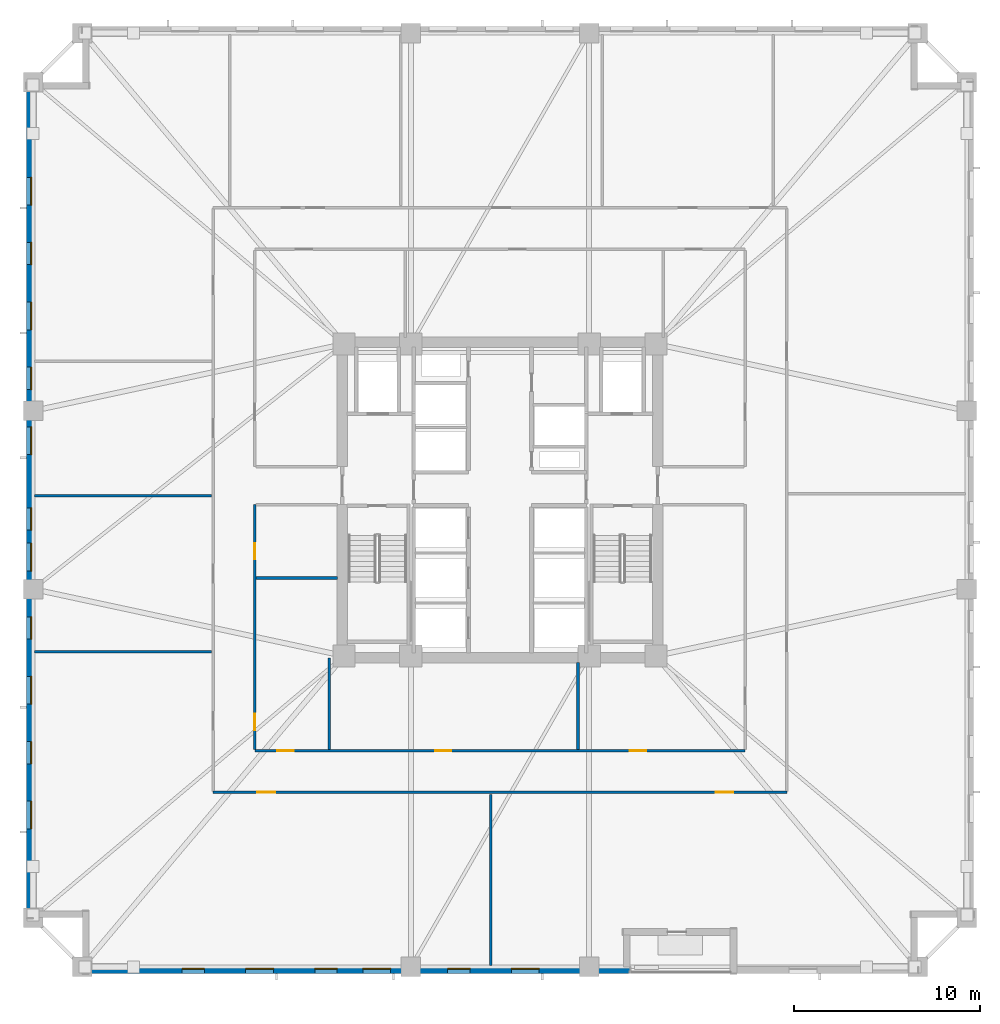
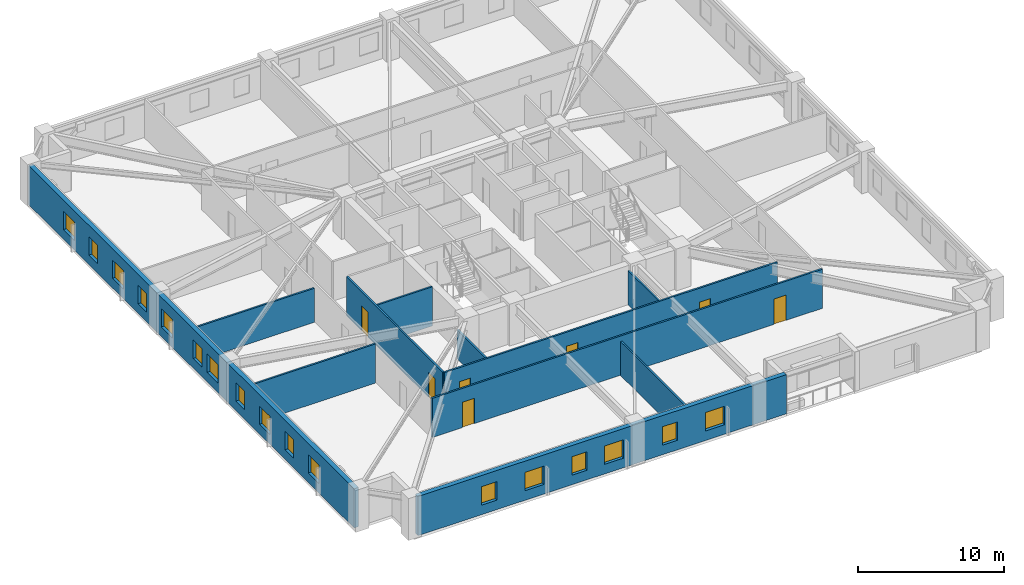
# One storey, part 2 of 11: 17 windows, 11 walls, 7 doors, 24 openings.
"""IFC4 building model written with IfcOpenShell, lengths in metres."""

from ifc_helpers import new_model, si_unit, direction, frame, frame_2d, origin, place, context, subcontext, project, spatial, rectangle, extrude, material, layer, layer_set, type_object, element, fill, save


model = new_model("IFC4")

# Units and contexts
model_context = context("Model", 3, precision=1e-05, world=origin(), true_north=direction((0.0, 1.0)))
body_context = subcontext(model_context, "Body", "Model", "MODEL_VIEW")
ifc_project = project(units=[si_unit("LENGTHUNIT", "METRE"), si_unit("AREAUNIT", "SQUARE_METRE"), si_unit("VOLUMEUNIT", "CUBIC_METRE"), si_unit("PLANEANGLEUNIT", "RADIAN"), si_unit("MASSUNIT", "GRAM", prefix="KILO")], contexts=[model_context])

# Site, building, storey
site_placement = place(None, origin())
site = spatial("IfcSite", under=ifc_project, at=site_placement, CompositionType="ELEMENT")
building_placement = place(site_placement, origin())
building = spatial("IfcBuilding", under=site, at=building_placement, Name="Cairnveth Concourse Tower", CompositionType="ELEMENT")
storey_placement = place(building_placement, frame((0.0, 0.0, 51.5)))
storey = spatial("IfcBuildingStorey", under=building, at=storey_placement, Name="L13", CompositionType="ELEMENT", Elevation=51.5)

# Wall, openings, doors
ifc_material_1 = material(Name="Gypsum Plasterboard Partition", Category="gypsum")
ifc_layer_1 = layer(ifc_material_1, 0.139892578125)
ifc_layer_set_1 = layer_set([ifc_layer_1], Name="Gypsum Plasterboard Partition")
wall_type_1 = type_object("IfcWallType", Name="GYPSUM STUD PARTITION 140", PredefinedType="PARTITIONING", material=ifc_layer_set_1)
wall_1_placement = place(storey_placement, frame((36.550048828125, 23.25, 0.0), z_axis=(0.0, 0.0, 1.0), x_axis=(1.0, 0.0, 0.0)))
wall_1 = element("IfcWall", 1, at=wall_1_placement, inside=storey, type_object=wall_type_1, Name="Interior Wall IW-L13-037", PredefinedType="PARTITIONING", context=body_context, shape_type="SweptSolid", body=[
    extrude(rectangle(XDim=30.89990234375, YDim=0.139892578125, at=frame_2d((15.449951171875, 0.0))), origin(), (0.0, 0.0, 1.0), 3.280029296875),
])
opening_1_placement = place(wall_1_placement, frame((2.38623046875, 0.0, 0.0)))
opening_1 = element("IfcOpeningElement", 2, at=opening_1_placement, cuts=wall_1, Name="Opening ID11", PredefinedType="OPENING", context=body_context, shape_type="SweptSolid", body=[
    extrude(rectangle(XDim=0.9599609375, YDim=2.1201171875, at=frame_2d((0.47998046875, 1.06005859375))), frame((0.0, 0.079833984375, 0.0), z_axis=(0.0, -1.0, 0.0), x_axis=(1.0, 0.0, 0.0)), (0.0, 0.0, 1.0), 0.159912109375),
])
opening_2_placement = place(wall_1_placement, frame((27.06640625, 0.0, 0.0)))
opening_2 = element("IfcOpeningElement", 3, at=opening_2_placement, cuts=wall_1, Name="Opening ID11", PredefinedType="OPENING", context=body_context, shape_type="SweptSolid", body=[
    extrude(rectangle(XDim=0.9599609375, YDim=2.1201171875, at=frame_2d((0.47998046875, 1.06005859375))), frame((0.0, 0.079833984375, 0.0), z_axis=(0.0, -1.0, 0.0), x_axis=(1.0, 0.0, 0.0)), (0.0, 0.0, 1.0), 0.159912109375),
])
ifc_material_2 = material(Name="Solid Core Hardwood Timber Leaf", Category="wood")
door_type_1 = type_object("IfcDoorType", Name="INTERIOR SINGLE DOOR 960X2150", OperationType="NOTDEFINED", PredefinedType="DOOR", material=ifc_material_2)
door_1_placement = place(opening_1_placement, origin())
door_1 = element("IfcDoor", 4, at=door_1_placement, inside=storey, type_object=door_type_1, Name="Office Door L13-S1", OperationType="SINGLE_SWING_RIGHT", OverallHeight=2.1201171875, OverallWidth=0.9599609375, PredefinedType="DOOR", context=body_context, shape_type="SweptSolid", body=[
    extrude(rectangle(XDim=0.9599609375, YDim=2.1201171875, at=frame_2d((0.47998046875, 1.06005859375))), frame((0.0, 0.02490234375, 0.0), z_axis=(0.0, -1.0, 0.0), x_axis=(1.0, 0.0, 0.0)), (0.0, 0.0, 1.0), 0.050048828125),
])
fill(opening_1, door_1)
door_2_placement = place(opening_2_placement, origin())
door_2 = element("IfcDoor", 5, at=door_2_placement, inside=storey, type_object=door_type_1, Name="Office Door L13-S2", OperationType="SINGLE_SWING_LEFT", OverallHeight=2.1201171875, OverallWidth=0.9599609375, PredefinedType="DOOR", context=body_context, shape_type="SweptSolid", body=[
    extrude(rectangle(XDim=0.9599609375, YDim=2.1201171875, at=frame_2d((0.47998046875, 1.06005859375))), frame((0.0, 0.02490234375, 0.0), z_axis=(0.0, -1.0, 0.0), x_axis=(1.0, 0.0, 0.0)), (0.0, 0.0, 1.0), 0.050048828125),
])
fill(opening_2, door_2)

wall_2_placement = place(storey_placement, frame((38.800048828125, 25.5, 0.0), z_axis=(0.0, 0.0, 1.0), x_axis=(1.0, 0.0, 0.0)))
wall_2 = element("IfcWall", 6, at=wall_2_placement, inside=storey, type_object=wall_type_1, Name="Interior Wall IW-L13-041", PredefinedType="PARTITIONING", context=body_context, shape_type="SweptSolid", body=[
    extrude(rectangle(XDim=26.39990234375, YDim=0.139892578125, at=frame_2d((13.199951171875, 0.0))), origin(), (0.0, 0.0, 1.0), 3.280029296875),
])
opening_3_placement = place(wall_2_placement, frame((1.199951171875, 0.0, 0.0)))
opening_3 = element("IfcOpeningElement", 7, at=opening_3_placement, cuts=wall_2, Name="Opening ID18", PredefinedType="OPENING", context=body_context, shape_type="SweptSolid", body=[
    extrude(rectangle(XDim=0.8798828125, YDim=2.10009765625, at=frame_2d((0.43994140625, 1.050048828125))), frame((0.0, 0.079833984375, 0.0), z_axis=(0.0, -1.0, 0.0), x_axis=(1.0, 0.0, 0.0)), (0.0, 0.0, 1.0), 0.159912109375),
])
opening_4_placement = place(wall_2_placement, frame((9.699951171875, 0.0, 0.0)))
opening_4 = element("IfcOpeningElement", 8, at=opening_4_placement, cuts=wall_2, Name="Opening ID18", PredefinedType="OPENING", context=body_context, shape_type="SweptSolid", body=[
    extrude(rectangle(XDim=0.8798828125, YDim=2.10009765625, at=frame_2d((0.43994140625, 1.050048828125))), frame((0.0, 0.079833984375, 0.0), z_axis=(0.0, -1.0, 0.0), x_axis=(1.0, 0.0, 0.0)), (0.0, 0.0, 1.0), 0.159912109375),
])
opening_5_placement = place(wall_2_placement, frame((20.199951171875, 0.0, 0.0)))
opening_5 = element("IfcOpeningElement", 9, at=opening_5_placement, cuts=wall_2, Name="Opening ID18", PredefinedType="OPENING", context=body_context, shape_type="SweptSolid", body=[
    extrude(rectangle(XDim=0.8798828125, YDim=2.10009765625, at=frame_2d((0.43994140625, 1.050048828125))), frame((0.0, 0.079833984375, 0.0), z_axis=(0.0, -1.0, 0.0), x_axis=(1.0, 0.0, 0.0)), (0.0, 0.0, 1.0), 0.159912109375),
])
door_type_2 = type_object("IfcDoorType", Name="INTERIOR SINGLE DOOR 880X2100", OperationType="NOTDEFINED", PredefinedType="DOOR", material=ifc_material_2)
door_3_placement = place(opening_3_placement, origin())
door_3 = element("IfcDoor", 10, at=door_3_placement, inside=storey, type_object=door_type_2, Name="Interior Door DR-L13-013", OperationType="SINGLE_SWING_LEFT", OverallHeight=2.10009765625, OverallWidth=0.8798828125, PredefinedType="DOOR", context=body_context, shape_type="SweptSolid", body=[
    extrude(rectangle(XDim=0.8798828125, YDim=2.10009765625, at=frame_2d((0.43994140625, 1.050048828125))), frame((0.0, 0.02490234375, 0.0), z_axis=(0.0, -1.0, 0.0), x_axis=(1.0, 0.0, 0.0)), (0.0, 0.0, 1.0), 0.050048828125),
])
fill(opening_3, door_3)
door_4_placement = place(opening_4_placement, origin())
door_4 = element("IfcDoor", 11, at=door_4_placement, inside=storey, type_object=door_type_2, Name="Interior Door DR-L13-014", OperationType="SINGLE_SWING_RIGHT", OverallHeight=2.10009765625, OverallWidth=0.8798828125, PredefinedType="DOOR", context=body_context, shape_type="SweptSolid", body=[
    extrude(rectangle(XDim=0.8798828125, YDim=2.10009765625, at=frame_2d((0.43994140625, 1.050048828125))), frame((0.0, 0.02490234375, 0.0), z_axis=(0.0, -1.0, 0.0), x_axis=(1.0, 0.0, 0.0)), (0.0, 0.0, 1.0), 0.050048828125),
])
fill(opening_4, door_4)
door_5_placement = place(opening_5_placement, origin())
door_5 = element("IfcDoor", 12, at=door_5_placement, inside=storey, type_object=door_type_2, Name="Interior Door DR-L13-015", OperationType="SINGLE_SWING_LEFT", OverallHeight=2.10009765625, OverallWidth=0.8798828125, PredefinedType="DOOR", context=body_context, shape_type="SweptSolid", body=[
    extrude(rectangle(XDim=0.8798828125, YDim=2.10009765625, at=frame_2d((0.43994140625, 1.050048828125))), frame((0.0, 0.02490234375, 0.0), z_axis=(0.0, -1.0, 0.0), x_axis=(1.0, 0.0, 0.0)), (0.0, 0.0, 1.0), 0.050048828125),
])
fill(opening_5, door_5)

wall_3_placement = place(storey_placement, frame((38.800048828125, 25.554931640625, 0.0), z_axis=(0.0, 0.0, 1.0), x_axis=(0.0, 1.0, 0.0)))
wall_3 = element("IfcWall", 13, at=wall_3_placement, inside=storey, type_object=wall_type_1, Name="Interior Wall IW-L13-043", PredefinedType="PARTITIONING", context=body_context, shape_type="SweptSolid", body=[
    extrude(rectangle(XDim=13.195068359375, YDim=0.139892578125, at=frame_2d((6.59765625, 0.0))), origin(), (0.0, 0.0, 1.0), 3.280029296875),
])
opening_6_placement = place(wall_3_placement, frame((1.044921875, 0.0, 0.0)))
opening_6 = element("IfcOpeningElement", 14, at=opening_6_placement, cuts=wall_3, Name="Opening ID18", PredefinedType="OPENING", context=body_context, shape_type="SweptSolid", body=[
    extrude(rectangle(XDim=0.8798828125, YDim=2.10009765625, at=frame_2d((0.43994140625, 1.050048828125))), frame((0.0, 0.079833984375, 0.0), z_axis=(0.0, -1.0, 0.0), x_axis=(1.0, 0.0, 0.0)), (0.0, 0.0, 1.0), 0.159912109375),
])
opening_7_placement = place(wall_3_placement, frame((10.2451171875, 0.0, 0.0)))
opening_7 = element("IfcOpeningElement", 15, at=opening_7_placement, cuts=wall_3, Name="Opening ID18", PredefinedType="OPENING", context=body_context, shape_type="SweptSolid", body=[
    extrude(rectangle(XDim=0.8798828125, YDim=2.10009765625, at=frame_2d((0.43994140625, 1.050048828125))), frame((0.0, 0.079833984375, 0.0), z_axis=(0.0, -1.0, 0.0), x_axis=(1.0, 0.0, 0.0)), (0.0, 0.0, 1.0), 0.159912109375),
])
door_6_placement = place(opening_6_placement, origin())
door_6 = element("IfcDoor", 16, at=door_6_placement, inside=storey, type_object=door_type_2, Name="Interior Door DR-L13-019", OperationType="SINGLE_SWING_LEFT", OverallHeight=2.10009765625, OverallWidth=0.8798828125, PredefinedType="DOOR", context=body_context, shape_type="SweptSolid", body=[
    extrude(rectangle(XDim=0.8798828125, YDim=2.10009765625, at=frame_2d((0.43994140625, 1.050048828125))), frame((0.0, 0.02490234375, 0.0), z_axis=(0.0, -1.0, 0.0), x_axis=(1.0, 0.0, 0.0)), (0.0, 0.0, 1.0), 0.050048828125),
])
fill(opening_6, door_6)
door_7_placement = place(opening_7_placement, origin())
door_7 = element("IfcDoor", 17, at=door_7_placement, inside=storey, type_object=door_type_2, Name="Interior Door DR-L13-020", OperationType="SINGLE_SWING_RIGHT", OverallHeight=2.10009765625, OverallWidth=0.8798828125, PredefinedType="DOOR", context=body_context, shape_type="SweptSolid", body=[
    extrude(rectangle(XDim=0.8798828125, YDim=2.10009765625, at=frame_2d((0.43994140625, 1.050048828125))), frame((0.0, 0.02490234375, 0.0), z_axis=(0.0, -1.0, 0.0), x_axis=(1.0, 0.0, 0.0)), (0.0, 0.0, 1.0), 0.050048828125),
])
fill(opening_7, door_7)

# Walls
wall_4_placement = place(storey_placement, frame((42.800048828125, 25.554931640625, 0.0), z_axis=(0.0, 0.0, 1.0), x_axis=(0.0, 1.0, 0.0)))
element("IfcWall", 18, at=wall_4_placement, inside=storey, type_object=wall_type_1, Name="Interior Wall IW-L13-051", PredefinedType="PARTITIONING", context=body_context, shape_type="SweptSolid", body=[
    extrude(rectangle(XDim=4.945068359375, YDim=0.139892578125, at=frame_2d((2.47265625, 0.0))), origin(), (0.0, 0.0, 1.0), 2.43896484375),
])
wall_5_placement = place(storey_placement, frame((56.199951171875, 25.554931640625, 0.0), z_axis=(0.0, 0.0, 1.0), x_axis=(0.0, 1.0, 0.0)))
element("IfcWall", 19, at=wall_5_placement, inside=storey, type_object=wall_type_1, Name="Interior Wall IW-L13-052", PredefinedType="PARTITIONING", context=body_context, shape_type="SweptSolid", body=[
    extrude(rectangle(XDim=4.68505859375, YDim=0.139892578125, at=frame_2d((2.342529296875, 0.0))), origin(), (0.0, 0.0, 1.0), 2.84912109375),
])
wall_6_placement = place(storey_placement, frame((38.85498046875, 34.800048828125, 0.0), z_axis=(0.0, 0.0, 1.0), x_axis=(1.0, 0.0, 0.0)))
element("IfcWall", 20, at=wall_6_placement, inside=storey, type_object=wall_type_1, Name="Interior Wall IW-L13-055", PredefinedType="PARTITIONING", context=body_context, shape_type="SweptSolid", body=[
    extrude(rectangle(XDim=4.385009765625, YDim=0.139892578125, at=frame_2d((2.1923828125, 0.0))), origin(), (0.0, 0.0, 1.0), 3.280029296875),
])
wall_7_placement = place(storey_placement, frame((51.512451171875, 13.919921875, 0.0), z_axis=(0.0, 0.0, 1.0), x_axis=(0.0, 1.0, 0.0)))
element("IfcWall", 21, at=wall_7_placement, inside=storey, type_object=wall_type_1, Name="Interior Wall IW-L13-056", PredefinedType="PARTITIONING", context=body_context, shape_type="SweptSolid", body=[
    extrude(rectangle(XDim=9.22998046875, YDim=0.139892578125, at=frame_2d((4.614990234375, 0.0))), origin(), (0.0, 0.0, 1.0), 2.84912109375),
])
wall_8_placement = place(storey_placement, frame((26.919921875, 30.833740234375, 0.0), z_axis=(0.0, 0.0, 1.0), x_axis=(1.0, 0.0, 0.0)))
element("IfcWall", 22, at=wall_8_placement, inside=storey, type_object=wall_type_1, Name="Interior Wall IW-L13-061", PredefinedType="PARTITIONING", context=body_context, shape_type="SweptSolid", body=[
    extrude(rectangle(XDim=9.530029296875, YDim=0.139892578125, at=frame_2d((4.76513671875, 0.0))), origin(), (0.0, 0.0, 1.0), 3.280029296875),
])
wall_9_placement = place(storey_placement, frame((26.919921875, 39.236083984375, 0.0), z_axis=(0.0, 0.0, 1.0), x_axis=(1.0, 0.0, 0.0)))
element("IfcWall", 23, at=wall_9_placement, inside=storey, type_object=wall_type_1, Name="Interior Wall IW-L13-062", PredefinedType="PARTITIONING", context=body_context, shape_type="SweptSolid", body=[
    extrude(rectangle(XDim=9.530029296875, YDim=0.139892578125, at=frame_2d((4.76513671875, 0.0))), origin(), (0.0, 0.0, 1.0), 2.84912109375),
])

# Wall, openings, windows
ifc_material_3 = material(Name="Hawthorn Red-Ochre Fired Clay Brick Masonry", Category="masonry")
ifc_layer_2 = layer(ifc_material_3, 0.360107421875)
ifc_layer_set_2 = layer_set([ifc_layer_2], Name="Hawthorn Red-Ochre Fired Clay Brick Masonry")
wall_type_2 = type_object("IfcWallType", Name="ZONE 1 BRICK PIER SPANDREL WALL 360", PredefinedType="SOLIDWALL", material=ifc_layer_set_2)
wall_10_placement = place(storey_placement, frame((59.0, 13.679931640625, 0.0), z_axis=(0.0, 0.0, 1.0), x_axis=(-1.0, 0.0, 0.0)))
wall_10 = element("IfcWall", 24, at=wall_10_placement, inside=storey, type_object=wall_type_2, Name="Exterior Wall EW-L13-S00", PredefinedType="SOLIDWALL", context=body_context, shape_type="SweptSolid", body=[
    extrude(rectangle(XDim=29.162109375, YDim=0.360107421875, at=frame_2d((14.5810546875, 0.0))), origin(), (0.0, 0.0, 1.0), 3.280029296875),
])
opening_8_placement = place(wall_10_placement, frame((4.888427734375, 0.0, 0.800048828125)))
opening_8 = element("IfcOpeningElement", 25, at=opening_8_placement, cuts=wall_10, Name="Opening W03", PredefinedType="OPENING", context=body_context, shape_type="SweptSolid", body=[
    extrude(rectangle(XDim=1.5, YDim=1.5439453125, at=frame_2d((0.75, 0.77197265625))), frame((0.0, 0.18994140625, 0.0), z_axis=(0.0, -1.0, 0.0), x_axis=(1.0, 0.0, 0.0)), (0.0, 0.0, 1.0), 0.380126953125),
])
opening_9_placement = place(wall_10_placement, frame((8.615478515625, 0.0, 0.800048828125)))
opening_9 = element("IfcOpeningElement", 26, at=opening_9_placement, cuts=wall_10, Name="Opening W01", PredefinedType="OPENING", context=body_context, shape_type="SweptSolid", body=[
    extrude(rectangle(XDim=1.199951171875, YDim=1.5439453125, at=frame_2d((0.60009765625, 0.77197265625))), frame((0.0, 0.18994140625, 0.0), z_axis=(0.0, -1.0, 0.0), x_axis=(1.0, 0.0, 0.0)), (0.0, 0.0, 1.0), 0.380126953125),
])
opening_10_placement = place(wall_10_placement, frame((12.892578125, 0.0, 0.800048828125)))
opening_10 = element("IfcOpeningElement", 27, at=opening_10_placement, cuts=wall_10, Name="Opening W03", PredefinedType="OPENING", context=body_context, shape_type="SweptSolid", body=[
    extrude(rectangle(XDim=1.5, YDim=1.5439453125, at=frame_2d((0.75, 0.77197265625))), frame((0.0, 0.18994140625, 0.0), z_axis=(0.0, -1.0, 0.0), x_axis=(1.0, 0.0, 0.0)), (0.0, 0.0, 1.0), 0.380126953125),
])
opening_11_placement = place(wall_10_placement, frame((15.76953125, 0.0, 0.800048828125)))
opening_11 = element("IfcOpeningElement", 28, at=opening_11_placement, cuts=wall_10, Name="Opening W01", PredefinedType="OPENING", context=body_context, shape_type="SweptSolid", body=[
    extrude(rectangle(XDim=1.199951171875, YDim=1.5439453125, at=frame_2d((0.60009765625, 0.77197265625))), frame((0.0, 0.18994140625, 0.0), z_axis=(0.0, -1.0, 0.0), x_axis=(1.0, 0.0, 0.0)), (0.0, 0.0, 1.0), 0.380126953125),
])
opening_12_placement = place(wall_10_placement, frame((19.196533203125, 0.0, 0.800048828125)))
opening_12 = element("IfcOpeningElement", 29, at=opening_12_placement, cuts=wall_10, Name="Opening W03", PredefinedType="OPENING", context=body_context, shape_type="SweptSolid", body=[
    extrude(rectangle(XDim=1.5, YDim=1.5439453125, at=frame_2d((0.75, 0.77197265625))), frame((0.0, 0.18994140625, 0.0), z_axis=(0.0, -1.0, 0.0), x_axis=(1.0, 0.0, 0.0)), (0.0, 0.0, 1.0), 0.380126953125),
])
opening_13_placement = place(wall_10_placement, frame((22.923583984375, 0.0, 0.800048828125)))
opening_13 = element("IfcOpeningElement", 30, at=opening_13_placement, cuts=wall_10, Name="Opening W01", PredefinedType="OPENING", context=body_context, shape_type="SweptSolid", body=[
    extrude(rectangle(XDim=1.199951171875, YDim=1.5439453125, at=frame_2d((0.60009765625, 0.77197265625))), frame((0.0, 0.18994140625, 0.0), z_axis=(0.0, -1.0, 0.0), x_axis=(1.0, 0.0, 0.0)), (0.0, 0.0, 1.0), 0.380126953125),
])
ifc_material_4 = material(Name="Double Glazed Low-E Clear Glass", Category="glass")
window_type_1 = type_object("IfcWindowType", Name="DEEP-SET GOTHIC LANCET WINDOW 1200X1800", PartitioningType="DOUBLE_PANEL_VERTICAL", PredefinedType="WINDOW", material=ifc_material_4)
window_1_placement = place(opening_9_placement, origin())
window_1 = element("IfcWindow", 31, at=window_1_placement, inside=storey, type_object=window_type_1, Name="Gothic Lancet Window L13-0-2", OverallHeight=1.5439453125, OverallWidth=1.199951171875, PartitioningType="SINGLE_PANEL", PredefinedType="WINDOW", context=body_context, shape_type="SweptSolid", body=[
    extrude(rectangle(XDim=1.199951171875, YDim=1.5439453125, at=frame_2d((0.60009765625, 0.77197265625))), frame((0.0, -0.050048828125, 0.0), z_axis=(0.0, -1.0, 0.0), x_axis=(1.0, 0.0, 0.0)), (0.0, 0.0, 1.0), 0.06005859375),
])
fill(opening_9, window_1)
window_2_placement = place(opening_11_placement, origin())
window_2 = element("IfcWindow", 32, at=window_2_placement, inside=storey, type_object=window_type_1, Name="Gothic Lancet Window L13-0-4", OverallHeight=1.5439453125, OverallWidth=1.199951171875, PartitioningType="SINGLE_PANEL", PredefinedType="WINDOW", context=body_context, shape_type="SweptSolid", body=[
    extrude(rectangle(XDim=1.199951171875, YDim=1.5439453125, at=frame_2d((0.60009765625, 0.77197265625))), frame((0.0, -0.050048828125, 0.0), z_axis=(0.0, -1.0, 0.0), x_axis=(1.0, 0.0, 0.0)), (0.0, 0.0, 1.0), 0.06005859375),
])
fill(opening_11, window_2)
window_3_placement = place(opening_13_placement, origin())
window_3 = element("IfcWindow", 33, at=window_3_placement, inside=storey, type_object=window_type_1, Name="Gothic Lancet Window L13-0-6", OverallHeight=1.5439453125, OverallWidth=1.199951171875, PartitioningType="SINGLE_PANEL", PredefinedType="WINDOW", context=body_context, shape_type="SweptSolid", body=[
    extrude(rectangle(XDim=1.199951171875, YDim=1.5439453125, at=frame_2d((0.60009765625, 0.77197265625))), frame((0.0, -0.050048828125, 0.0), z_axis=(0.0, -1.0, 0.0), x_axis=(1.0, 0.0, 0.0)), (0.0, 0.0, 1.0), 0.06005859375),
])
fill(opening_13, window_3)
window_type_2 = type_object("IfcWindowType", Name="DEEP-SET GOTHIC LANCET WINDOW 1500X1800", PartitioningType="DOUBLE_PANEL_VERTICAL", PredefinedType="WINDOW", material=ifc_material_4)
window_4_placement = place(opening_8_placement, origin())
window_4 = element("IfcWindow", 34, at=window_4_placement, inside=storey, type_object=window_type_2, Name="Gothic Lancet Window L13-0-1", OverallHeight=1.5439453125, OverallWidth=1.5, PartitioningType="SINGLE_PANEL", PredefinedType="WINDOW", context=body_context, shape_type="SweptSolid", body=[
    extrude(rectangle(XDim=1.5, YDim=1.5439453125, at=frame_2d((0.75, 0.77197265625))), frame((0.0, -0.050048828125, 0.0), z_axis=(0.0, -1.0, 0.0), x_axis=(1.0, 0.0, 0.0)), (0.0, 0.0, 1.0), 0.06005859375),
])
fill(opening_8, window_4)
window_5_placement = place(opening_10_placement, origin())
window_5 = element("IfcWindow", 35, at=window_5_placement, inside=storey, type_object=window_type_2, Name="Gothic Lancet Window L13-0-3", OverallHeight=1.5439453125, OverallWidth=1.5, PartitioningType="SINGLE_PANEL", PredefinedType="WINDOW", context=body_context, shape_type="SweptSolid", body=[
    extrude(rectangle(XDim=1.5, YDim=1.5439453125, at=frame_2d((0.75, 0.77197265625))), frame((0.0, -0.050048828125, 0.0), z_axis=(0.0, -1.0, 0.0), x_axis=(1.0, 0.0, 0.0)), (0.0, 0.0, 1.0), 0.06005859375),
])
fill(opening_10, window_5)
window_6_placement = place(opening_12_placement, origin())
window_6 = element("IfcWindow", 36, at=window_6_placement, inside=storey, type_object=window_type_2, Name="Gothic Lancet Window L13-0-5", OverallHeight=1.5439453125, OverallWidth=1.5, PartitioningType="SINGLE_PANEL", PredefinedType="WINDOW", context=body_context, shape_type="SweptSolid", body=[
    extrude(rectangle(XDim=1.5, YDim=1.5439453125, at=frame_2d((0.75, 0.77197265625))), frame((0.0, -0.050048828125, 0.0), z_axis=(0.0, -1.0, 0.0), x_axis=(1.0, 0.0, 0.0)), (0.0, 0.0, 1.0), 0.06005859375),
])
fill(opening_12, window_6)

wall_11_placement = place(storey_placement, frame((26.679931640625, 16.5, 0.0), z_axis=(0.0, 0.0, 1.0), x_axis=(0.0, 1.0, 0.0)))
wall_11 = element("IfcWall", 37, at=wall_11_placement, inside=storey, type_object=wall_type_2, Name="Exterior Wall EW-L13-S03", PredefinedType="SOLIDWALL", context=body_context, shape_type="SweptSolid", body=[
    extrude(rectangle(XDim=44.662109375, YDim=0.360107421875, at=frame_2d((22.3310546875, 0.0))), origin(), (0.0, 0.0, 1.0), 3.280029296875),
])
opening_14_placement = place(wall_11_placement, frame((4.780029296875, 0.0, 0.800048828125)))
opening_14 = element("IfcOpeningElement", 38, at=opening_14_placement, cuts=wall_11, Name="Opening W03", PredefinedType="OPENING", context=body_context, shape_type="SweptSolid", body=[
    extrude(rectangle(XDim=1.5, YDim=1.5439453125, at=frame_2d((0.75, 0.77197265625))), frame((0.0, 0.18994140625, 0.0), z_axis=(0.0, -1.0, 0.0), x_axis=(1.0, 0.0, 0.0)), (0.0, 0.0, 1.0), 0.380126953125),
])
opening_15_placement = place(wall_11_placement, frame((8.290283203125, 0.0, 0.800048828125)))
opening_15 = element("IfcOpeningElement", 39, at=opening_15_placement, cuts=wall_11, Name="Opening W01", PredefinedType="OPENING", context=body_context, shape_type="SweptSolid", body=[
    extrude(rectangle(XDim=1.199951171875, YDim=1.5439453125, at=frame_2d((0.60009765625, 0.77197265625))), frame((0.0, 0.18994140625, 0.0), z_axis=(0.0, -1.0, 0.0), x_axis=(1.0, 0.0, 0.0)), (0.0, 0.0, 1.0), 0.380126953125),
])
opening_16_placement = place(wall_11_placement, frame((11.50048828125, 0.0, 0.800048828125)))
opening_16 = element("IfcOpeningElement", 40, at=opening_16_placement, cuts=wall_11, Name="Opening W03", PredefinedType="OPENING", context=body_context, shape_type="SweptSolid", body=[
    extrude(rectangle(XDim=1.5, YDim=1.5439453125, at=frame_2d((0.75, 0.77197265625))), frame((0.0, 0.18994140625, 0.0), z_axis=(0.0, -1.0, 0.0), x_axis=(1.0, 0.0, 0.0)), (0.0, 0.0, 1.0), 0.380126953125),
])
opening_17_placement = place(wall_11_placement, frame((15.010498046875, 0.0, 0.800048828125)))
opening_17 = element("IfcOpeningElement", 41, at=opening_17_placement, cuts=wall_11, Name="Opening W01", PredefinedType="OPENING", context=body_context, shape_type="SweptSolid", body=[
    extrude(rectangle(XDim=1.199951171875, YDim=1.5439453125, at=frame_2d((0.60009765625, 0.77197265625))), frame((0.0, 0.18994140625, 0.0), z_axis=(0.0, -1.0, 0.0), x_axis=(1.0, 0.0, 0.0)), (0.0, 0.0, 1.0), 0.380126953125),
])
opening_18_placement = place(wall_11_placement, frame((18.6708984375, 0.0, 0.800048828125)))
opening_18 = element("IfcOpeningElement", 42, at=opening_18_placement, cuts=wall_11, Name="Opening W03", PredefinedType="OPENING", context=body_context, shape_type="SweptSolid", body=[
    extrude(rectangle(XDim=1.5, YDim=1.5439453125, at=frame_2d((0.75, 0.77197265625))), frame((0.0, 0.18994140625, 0.0), z_axis=(0.0, -1.0, 0.0), x_axis=(1.0, 0.0, 0.0)), (0.0, 0.0, 1.0), 0.380126953125),
])
opening_19_placement = place(wall_11_placement, frame((20.881103515625, 0.0, 0.800048828125)))
opening_19 = element("IfcOpeningElement", 43, at=opening_19_placement, cuts=wall_11, Name="Opening W01", PredefinedType="OPENING", context=body_context, shape_type="SweptSolid", body=[
    extrude(rectangle(XDim=1.199951171875, YDim=1.5439453125, at=frame_2d((0.60009765625, 0.77197265625))), frame((0.0, 0.18994140625, 0.0), z_axis=(0.0, -1.0, 0.0), x_axis=(1.0, 0.0, 0.0)), (0.0, 0.0, 1.0), 0.380126953125),
])
opening_20_placement = place(wall_11_placement, frame((24.941162109375, 0.0, 0.800048828125)))
opening_20 = element("IfcOpeningElement", 44, at=opening_20_placement, cuts=wall_11, Name="Opening W03", PredefinedType="OPENING", context=body_context, shape_type="SweptSolid", body=[
    extrude(rectangle(XDim=1.5, YDim=1.5439453125, at=frame_2d((0.75, 0.77197265625))), frame((0.0, 0.18994140625, 0.0), z_axis=(0.0, -1.0, 0.0), x_axis=(1.0, 0.0, 0.0)), (0.0, 0.0, 1.0), 0.380126953125),
])
opening_21_placement = place(wall_11_placement, frame((28.451416015625, 0.0, 0.800048828125)))
opening_21 = element("IfcOpeningElement", 45, at=opening_21_placement, cuts=wall_11, Name="Opening W01", PredefinedType="OPENING", context=body_context, shape_type="SweptSolid", body=[
    extrude(rectangle(XDim=1.199951171875, YDim=1.5439453125, at=frame_2d((0.60009765625, 0.77197265625))), frame((0.0, 0.18994140625, 0.0), z_axis=(0.0, -1.0, 0.0), x_axis=(1.0, 0.0, 0.0)), (0.0, 0.0, 1.0), 0.380126953125),
])
opening_22_placement = place(wall_11_placement, frame((31.66162109375, 0.0, 0.800048828125)))
opening_22 = element("IfcOpeningElement", 46, at=opening_22_placement, cuts=wall_11, Name="Opening W03", PredefinedType="OPENING", context=body_context, shape_type="SweptSolid", body=[
    extrude(rectangle(XDim=1.5, YDim=1.5439453125, at=frame_2d((0.75, 0.77197265625))), frame((0.0, 0.18994140625, 0.0), z_axis=(0.0, -1.0, 0.0), x_axis=(1.0, 0.0, 0.0)), (0.0, 0.0, 1.0), 0.380126953125),
])
opening_23_placement = place(wall_11_placement, frame((35.171630859375, 0.0, 0.800048828125)))
opening_23 = element("IfcOpeningElement", 47, at=opening_23_placement, cuts=wall_11, Name="Opening W01", PredefinedType="OPENING", context=body_context, shape_type="SweptSolid", body=[
    extrude(rectangle(XDim=1.199951171875, YDim=1.5439453125, at=frame_2d((0.60009765625, 0.77197265625))), frame((0.0, 0.18994140625, 0.0), z_axis=(0.0, -1.0, 0.0), x_axis=(1.0, 0.0, 0.0)), (0.0, 0.0, 1.0), 0.380126953125),
])
opening_24_placement = place(wall_11_placement, frame((38.3818359375, 0.0, 0.800048828125)))
opening_24 = element("IfcOpeningElement", 48, at=opening_24_placement, cuts=wall_11, Name="Opening W03", PredefinedType="OPENING", context=body_context, shape_type="SweptSolid", body=[
    extrude(rectangle(XDim=1.5, YDim=1.5439453125, at=frame_2d((0.75, 0.77197265625))), frame((0.0, 0.18994140625, 0.0), z_axis=(0.0, -1.0, 0.0), x_axis=(1.0, 0.0, 0.0)), (0.0, 0.0, 1.0), 0.380126953125),
])
window_7_placement = place(opening_15_placement, origin())
window_7 = element("IfcWindow", 49, at=window_7_placement, inside=storey, type_object=window_type_1, Name="Gothic Lancet Window L13-3-2", OverallHeight=1.5439453125, OverallWidth=1.199951171875, PartitioningType="SINGLE_PANEL", PredefinedType="WINDOW", context=body_context, shape_type="SweptSolid", body=[
    extrude(rectangle(XDim=1.199951171875, YDim=1.5439453125, at=frame_2d((0.60009765625, 0.77197265625))), frame((0.0, -0.050048828125, 0.0), z_axis=(0.0, -1.0, 0.0), x_axis=(1.0, 0.0, 0.0)), (0.0, 0.0, 1.0), 0.06005859375),
])
fill(opening_15, window_7)
window_8_placement = place(opening_17_placement, origin())
window_8 = element("IfcWindow", 50, at=window_8_placement, inside=storey, type_object=window_type_1, Name="Gothic Lancet Window L13-3-4", OverallHeight=1.5439453125, OverallWidth=1.199951171875, PartitioningType="SINGLE_PANEL", PredefinedType="WINDOW", context=body_context, shape_type="SweptSolid", body=[
    extrude(rectangle(XDim=1.199951171875, YDim=1.5439453125, at=frame_2d((0.60009765625, 0.77197265625))), frame((0.0, -0.050048828125, 0.0), z_axis=(0.0, -1.0, 0.0), x_axis=(1.0, 0.0, 0.0)), (0.0, 0.0, 1.0), 0.06005859375),
])
fill(opening_17, window_8)
window_9_placement = place(opening_19_placement, origin())
window_9 = element("IfcWindow", 51, at=window_9_placement, inside=storey, type_object=window_type_1, Name="Gothic Lancet Window L13-3-6", OverallHeight=1.5439453125, OverallWidth=1.199951171875, PartitioningType="SINGLE_PANEL", PredefinedType="WINDOW", context=body_context, shape_type="SweptSolid", body=[
    extrude(rectangle(XDim=1.199951171875, YDim=1.5439453125, at=frame_2d((0.60009765625, 0.77197265625))), frame((0.0, -0.050048828125, 0.0), z_axis=(0.0, -1.0, 0.0), x_axis=(1.0, 0.0, 0.0)), (0.0, 0.0, 1.0), 0.06005859375),
])
fill(opening_19, window_9)
window_10_placement = place(opening_21_placement, origin())
window_10 = element("IfcWindow", 52, at=window_10_placement, inside=storey, type_object=window_type_1, Name="Gothic Lancet Window L13-3-8", OverallHeight=1.5439453125, OverallWidth=1.199951171875, PartitioningType="SINGLE_PANEL", PredefinedType="WINDOW", context=body_context, shape_type="SweptSolid", body=[
    extrude(rectangle(XDim=1.199951171875, YDim=1.5439453125, at=frame_2d((0.60009765625, 0.77197265625))), frame((0.0, -0.050048828125, 0.0), z_axis=(0.0, -1.0, 0.0), x_axis=(1.0, 0.0, 0.0)), (0.0, 0.0, 1.0), 0.06005859375),
])
fill(opening_21, window_10)
window_11_placement = place(opening_23_placement, origin())
window_11 = element("IfcWindow", 53, at=window_11_placement, inside=storey, type_object=window_type_1, Name="Gothic Lancet Window L13-3-10", OverallHeight=1.5439453125, OverallWidth=1.199951171875, PartitioningType="SINGLE_PANEL", PredefinedType="WINDOW", context=body_context, shape_type="SweptSolid", body=[
    extrude(rectangle(XDim=1.199951171875, YDim=1.5439453125, at=frame_2d((0.60009765625, 0.77197265625))), frame((0.0, -0.050048828125, 0.0), z_axis=(0.0, -1.0, 0.0), x_axis=(1.0, 0.0, 0.0)), (0.0, 0.0, 1.0), 0.06005859375),
])
fill(opening_23, window_11)
window_12_placement = place(opening_14_placement, origin())
window_12 = element("IfcWindow", 54, at=window_12_placement, inside=storey, type_object=window_type_2, Name="Gothic Lancet Window L13-3-1", OverallHeight=1.5439453125, OverallWidth=1.5, PartitioningType="SINGLE_PANEL", PredefinedType="WINDOW", context=body_context, shape_type="SweptSolid", body=[
    extrude(rectangle(XDim=1.5, YDim=1.5439453125, at=frame_2d((0.75, 0.77197265625))), frame((0.0, -0.050048828125, 0.0), z_axis=(0.0, -1.0, 0.0), x_axis=(1.0, 0.0, 0.0)), (0.0, 0.0, 1.0), 0.06005859375),
])
fill(opening_14, window_12)
window_13_placement = place(opening_16_placement, origin())
window_13 = element("IfcWindow", 55, at=window_13_placement, inside=storey, type_object=window_type_2, Name="Gothic Lancet Window L13-3-3", OverallHeight=1.5439453125, OverallWidth=1.5, PartitioningType="SINGLE_PANEL", PredefinedType="WINDOW", context=body_context, shape_type="SweptSolid", body=[
    extrude(rectangle(XDim=1.5, YDim=1.5439453125, at=frame_2d((0.75, 0.77197265625))), frame((0.0, -0.050048828125, 0.0), z_axis=(0.0, -1.0, 0.0), x_axis=(1.0, 0.0, 0.0)), (0.0, 0.0, 1.0), 0.06005859375),
])
fill(opening_16, window_13)
window_14_placement = place(opening_18_placement, origin())
window_14 = element("IfcWindow", 56, at=window_14_placement, inside=storey, type_object=window_type_2, Name="Gothic Lancet Window L13-3-5", OverallHeight=1.5439453125, OverallWidth=1.5, PartitioningType="SINGLE_PANEL", PredefinedType="WINDOW", context=body_context, shape_type="SweptSolid", body=[
    extrude(rectangle(XDim=1.5, YDim=1.5439453125, at=frame_2d((0.75, 0.77197265625))), frame((0.0, -0.050048828125, 0.0), z_axis=(0.0, -1.0, 0.0), x_axis=(1.0, 0.0, 0.0)), (0.0, 0.0, 1.0), 0.06005859375),
])
fill(opening_18, window_14)
window_15_placement = place(opening_20_placement, origin())
window_15 = element("IfcWindow", 57, at=window_15_placement, inside=storey, type_object=window_type_2, Name="Gothic Lancet Window L13-3-7", OverallHeight=1.5439453125, OverallWidth=1.5, PartitioningType="SINGLE_PANEL", PredefinedType="WINDOW", context=body_context, shape_type="SweptSolid", body=[
    extrude(rectangle(XDim=1.5, YDim=1.5439453125, at=frame_2d((0.75, 0.77197265625))), frame((0.0, -0.050048828125, 0.0), z_axis=(0.0, -1.0, 0.0), x_axis=(1.0, 0.0, 0.0)), (0.0, 0.0, 1.0), 0.06005859375),
])
fill(opening_20, window_15)
window_16_placement = place(opening_22_placement, origin())
window_16 = element("IfcWindow", 58, at=window_16_placement, inside=storey, type_object=window_type_2, Name="Gothic Lancet Window L13-3-9", OverallHeight=1.5439453125, OverallWidth=1.5, PartitioningType="SINGLE_PANEL", PredefinedType="WINDOW", context=body_context, shape_type="SweptSolid", body=[
    extrude(rectangle(XDim=1.5, YDim=1.5439453125, at=frame_2d((0.75, 0.77197265625))), frame((0.0, -0.050048828125, 0.0), z_axis=(0.0, -1.0, 0.0), x_axis=(1.0, 0.0, 0.0)), (0.0, 0.0, 1.0), 0.06005859375),
])
fill(opening_22, window_16)
window_17_placement = place(opening_24_placement, origin())
window_17 = element("IfcWindow", 59, at=window_17_placement, inside=storey, type_object=window_type_2, Name="Gothic Lancet Window L13-3-11", OverallHeight=1.5439453125, OverallWidth=1.5, PartitioningType="SINGLE_PANEL", PredefinedType="WINDOW", context=body_context, shape_type="SweptSolid", body=[
    extrude(rectangle(XDim=1.5, YDim=1.5439453125, at=frame_2d((0.75, 0.77197265625))), frame((0.0, -0.050048828125, 0.0), z_axis=(0.0, -1.0, 0.0), x_axis=(1.0, 0.0, 0.0)), (0.0, 0.0, 1.0), 0.06005859375),
])
fill(opening_24, window_17)

save(model, "model.ifc")
